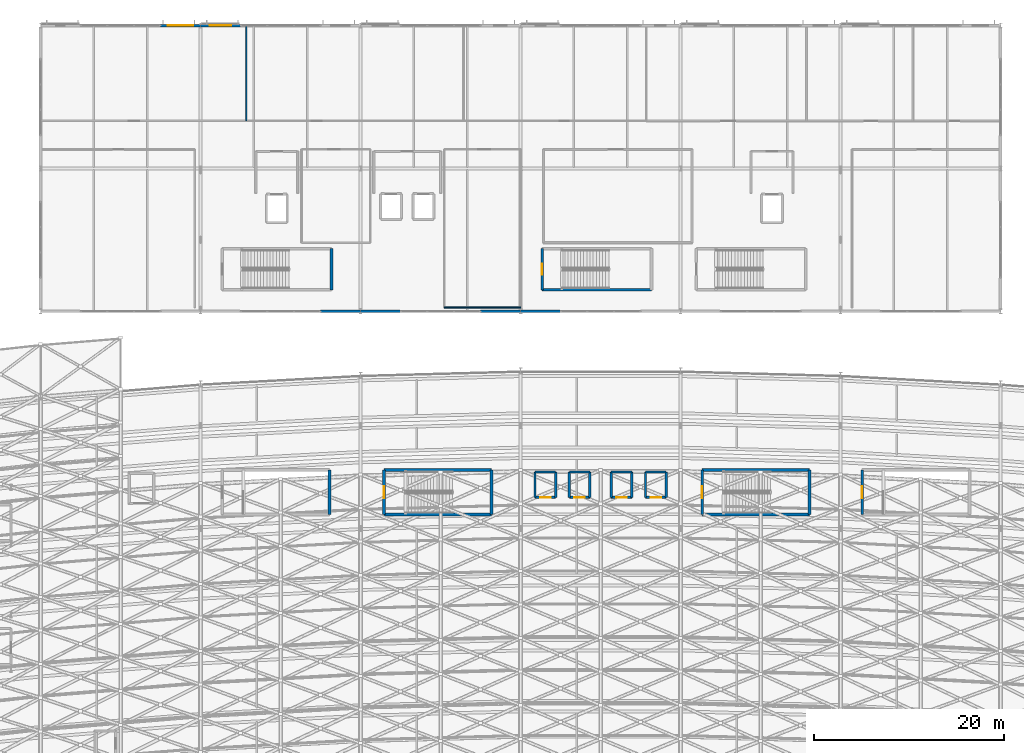
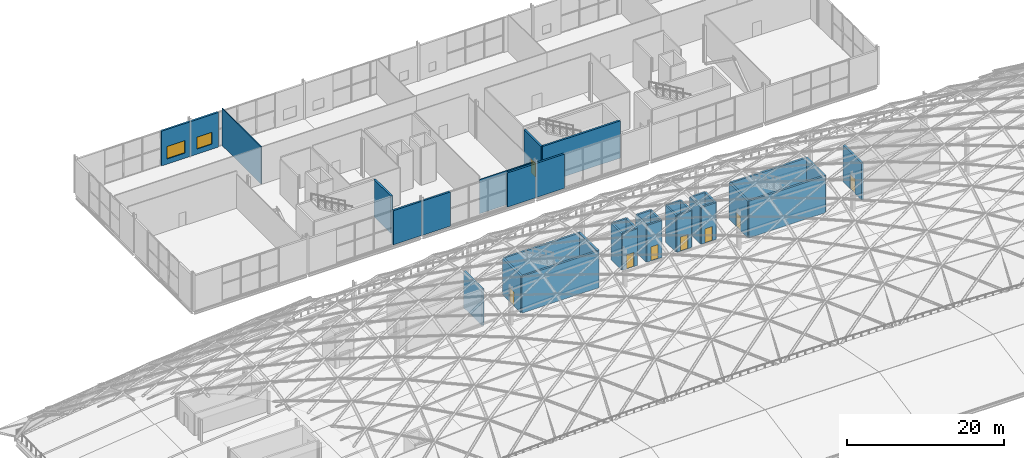
# One storey, part 83 of 100: 37 walls, 8 doors, 2 windows, 10 openings.
"""IFC4 building model written with IfcOpenShell, lengths in metres."""

from ifc_helpers import new_model, si_unit, direction, frame, frame_2d, origin, place, context, subcontext, project, spatial, rectangle, extrude, material, layer, layer_set, type_object, element, fill, save


model = new_model("IFC4")

# Units and contexts
model_context = context("Model", 3, precision=1e-05, world=origin(), true_north=direction((0.0, 1.0)))
body_context = subcontext(model_context, "Body", "Model", "MODEL_VIEW")
ifc_project = project(units=[si_unit("LENGTHUNIT", "METRE"), si_unit("AREAUNIT", "SQUARE_METRE"), si_unit("VOLUMEUNIT", "CUBIC_METRE"), si_unit("PLANEANGLEUNIT", "RADIAN"), si_unit("MASSUNIT", "GRAM", prefix="KILO")], contexts=[model_context])

# Site, building, storey
site_placement = place(None, origin())
site = spatial("IfcSite", under=ifc_project, at=site_placement, CompositionType="ELEMENT")
building_placement = place(site_placement, origin())
building = spatial("IfcBuilding", under=site, at=building_placement, Name="Kimbaza Rail Terminus", CompositionType="ELEMENT")
storey_placement = place(building_placement, frame((0.0, 0.0, 10.800048828125)))
storey = spatial("IfcBuildingStorey", under=building, at=storey_placement, Name="L02", CompositionType="ELEMENT", Elevation=10.800048828125)

# Wall, opening, window
ifc_material_1 = material(Name="Precast concrete C40/50", Category="concrete")
ifc_layer_1 = layer(ifc_material_1, 0.280029296875)
ifc_layer_set_1 = layer_set([ifc_layer_1], Name="Precast concrete C40/50")
wall_type_1 = type_object("IfcWallType", Name="ARC-WL-EXT280", PredefinedType="STANDARD", material=ifc_layer_set_1)
wall_1_placement = place(storey_placement, frame((67.800048828125, 133.0, 0.0), z_axis=(0.0, 0.0, 1.0), x_axis=(1.0, 0.0, 0.0)))
wall_1 = element("IfcWall", 1, at=wall_1_placement, inside=storey, type_object=wall_type_1, Name="Operations North Pier L02 0B", PredefinedType="STANDARD", context=body_context, shape_type="SweptSolid", body=[
    extrude(rectangle(XDim=4.199951171875, YDim=0.280029296875, at=frame_2d((2.10009765625, 0.0))), origin(), (0.0, 0.0, 1.0), 5.405029296875),
])
opening_1_placement = place(wall_1_placement, frame((0.77490234375, 0.0, 0.800048828125)))
opening_1 = element("IfcOpeningElement", 2, at=opening_1_placement, cuts=wall_1, Name="Opening W-21", PredefinedType="OPENING", context=body_context, shape_type="SweptSolid", body=[
    extrude(rectangle(XDim=2.64990234375, YDim=1.949951171875, at=frame_2d((1.324951171875, 0.97509765625))), frame((0.0, 0.14990234375, 0.0), z_axis=(0.0, -1.0, 0.0), x_axis=(1.0, 0.0, 0.0)), (0.0, 0.0, 1.0), 0.300048828125),
])
ifc_material_2 = material(Name="Thermally broken aluminium and solar low-E glass", Category="aluminium")
window_type_1 = type_object("IfcWindowType", Name="ARC-WIN-W-21", PartitioningType="SINGLE_PANEL", PredefinedType="WINDOW", material=ifc_material_2)
window_1_placement = place(opening_1_placement, origin())
window_1 = element("IfcWindow", 3, at=window_1_placement, inside=storey, type_object=window_type_1, Name="North Facade Window W-21", OverallHeight=1.949951171875, OverallWidth=2.64990234375, PartitioningType="SINGLE_PANEL", PredefinedType="WINDOW", context=body_context, shape_type="SweptSolid", body=[
    extrude(rectangle(XDim=2.64990234375, YDim=1.949951171875, at=frame_2d((1.324951171875, 0.97509765625))), frame((0.0, 0.030029296875, 0.0), z_axis=(0.0, -1.0, 0.0), x_axis=(1.0, 0.0, 0.0)), (0.0, 0.0, 1.0), 0.06005859375),
])
fill(opening_1, window_1)

wall_2_placement = place(storey_placement, frame((72.0, 133.0, 0.0), z_axis=(0.0, 0.0, 1.0), x_axis=(1.0, 0.0, 0.0)))
wall_2 = element("IfcWall", 4, at=wall_2_placement, inside=storey, type_object=wall_type_1, Name="Operations North Pier L02 1A", PredefinedType="STANDARD", context=body_context, shape_type="SweptSolid", body=[
    extrude(rectangle(XDim=4.199951171875, YDim=0.280029296875, at=frame_2d((2.10009765625, 0.0))), origin(), (0.0, 0.0, 1.0), 5.405029296875),
])
opening_2_placement = place(wall_2_placement, frame((0.97509765625, 0.0, 0.800048828125)))
opening_2 = element("IfcOpeningElement", 5, at=opening_2_placement, cuts=wall_2, Name="Opening W-22", PredefinedType="OPENING", context=body_context, shape_type="SweptSolid", body=[
    extrude(rectangle(XDim=2.25, YDim=1.85009765625, at=frame_2d((1.125, 0.925048828125))), frame((0.0, 0.14990234375, 0.0), z_axis=(0.0, -1.0, 0.0), x_axis=(1.0, 0.0, 0.0)), (0.0, 0.0, 1.0), 0.300048828125),
])
ifc_material_3 = material(Name="Thermally broken aluminium and solar low-E glass", Category="aluminium")
window_type_2 = type_object("IfcWindowType", Name="ARC-WIN-W-22", PartitioningType="SINGLE_PANEL", PredefinedType="WINDOW", material=ifc_material_3)
window_2_placement = place(opening_2_placement, origin())
window_2 = element("IfcWindow", 6, at=window_2_placement, inside=storey, type_object=window_type_2, Name="North Facade Window W-22", OverallHeight=1.85009765625, OverallWidth=2.25, PartitioningType="SINGLE_PANEL", PredefinedType="WINDOW", context=body_context, shape_type="SweptSolid", body=[
    extrude(rectangle(XDim=2.25, YDim=1.85009765625, at=frame_2d((1.125, 0.925048828125))), frame((0.0, 0.030029296875, 0.0), z_axis=(0.0, -1.0, 0.0), x_axis=(1.0, 0.0, 0.0)), (0.0, 0.0, 1.0), 0.06005859375),
])
fill(opening_2, window_2)

# Walls
for number, where, z_axis, x_axis, name in (
    (7, (84.60009765625, 103.0, 0.0), (0.0, 0.0, 1.0), (1.0, 0.0, 0.0), "Operations South Wall L02 1B"),
    (8, (88.800048828125, 103.0, 0.0), (0.0, 0.0, 1.0), (1.0, 0.0, 0.0), "Operations South Wall L02 2A"),
):
    element("IfcWall", number, at=place(storey_placement, frame(where, z_axis=z_axis, x_axis=x_axis)), inside=storey, type_object=wall_type_1, Name=name, PredefinedType="STANDARD", context=body_context, shape_type="SweptSolid", body=[
        extrude(rectangle(XDim=4.199951171875, YDim=0.280029296875, at=frame_2d((2.10009765625, 0.0))), origin(), (0.0, 0.0, 1.0), 5.324951171875),
    ])
wall_3_placement = place(storey_placement, frame((101.39990234375, 103.0, 0.0), z_axis=(0.0, 0.0, 1.0), x_axis=(1.0, 0.0, 0.0)))
element("IfcWall", 9, at=wall_3_placement, inside=storey, type_object=wall_type_1, Name="Operations South Wall L02 2B", PredefinedType="STANDARD", context=body_context, shape_type="SweptSolid", body=[
    extrude(rectangle(XDim=4.2001953125, YDim=0.280029296875, at=frame_2d((2.10009765625, 0.0))), origin(), (0.0, 0.0, 1.0), 5.324951171875),
])
wall_4_placement = place(storey_placement, frame((105.60009765625, 103.0, 0.0), z_axis=(0.0, 0.0, 1.0), x_axis=(1.0, 0.0, 0.0)))
element("IfcWall", 10, at=wall_4_placement, inside=storey, type_object=wall_type_1, Name="Operations South Wall L02 3A", PredefinedType="STANDARD", context=body_context, shape_type="SweptSolid", body=[
    extrude(rectangle(XDim=4.199951171875, YDim=0.280029296875, at=frame_2d((2.10009765625, 0.0))), origin(), (0.0, 0.0, 1.0), 5.324951171875),
])
ifc_material_4 = material(Name="Demountable acoustic glass wall", Category="glass")
ifc_layer_2 = layer(ifc_material_4, 0.110107421875)
ifc_layer_set_2 = layer_set([ifc_layer_2], Name="Demountable acoustic glass wall")
wall_type_2 = type_object("IfcWallType", Name="ARC-WL-MOV110", PredefinedType="MOVABLE", material=ifc_layer_set_2)
wall_5_placement = place(storey_placement, frame((97.60009765625, 103.39990234375, 0.0), z_axis=(0.0, 0.0, 1.0), x_axis=(1.0, 0.0, 0.0)))
element("IfcWall", 11, at=wall_5_placement, inside=storey, type_object=wall_type_2, Name="L02 Network Dispatch Briefing Room Partition (south)", PredefinedType="MOVABLE", context=body_context, shape_type="SweptSolid", body=[
    extrude(rectangle(XDim=8.0, YDim=0.110107421875, at=frame_2d((4.0, 0.0))), origin(), (0.0, 0.0, 1.0), 5.324951171875),
])
ifc_material_5 = material(Name="Acoustic gypsum stud partition", Category="gypsum")
ifc_layer_3 = layer(ifc_material_5, 0.1298828125)
ifc_layer_set_3 = layer_set([ifc_layer_3], Name="Acoustic gypsum stud partition")
wall_type_3 = type_object("IfcWallType", Name="ARC-WL-PART130", PredefinedType="PARTITIONING", material=ifc_layer_set_3)
wall_6_placement = place(storey_placement, frame((76.800048828125, 123.0, 0.0), z_axis=(0.0, 0.0, 1.0), x_axis=(0.0, 1.0, 0.0)))
element("IfcWall", 12, at=wall_6_placement, inside=storey, type_object=wall_type_3, Name="Interlocking Signalling Relay Suite A Partition (east)", PredefinedType="PARTITIONING", context=body_context, shape_type="SweptSolid", body=[
    extrude(rectangle(XDim=9.97998046875, YDim=0.1298828125, at=frame_2d((4.989990234375, 0.0))), origin(), (0.0, 0.0, 1.0), 5.800048828125),
])

# Wall, opening, door
ifc_material_6 = material(Name="Concrete C40/50", Category="concrete")
ifc_layer_4 = layer(ifc_material_6, 0.25)
ifc_layer_set_4 = layer_set([ifc_layer_4], Name="Concrete C40/50")
wall_type_4 = type_object("IfcWallType", Name="STR-WL-CORE250", PredefinedType="SHEAR", material=ifc_layer_set_4)
wall_7_placement = place(storey_placement, frame((107.1201171875, 83.469970703125, 0.0), z_axis=(0.0, 0.0, 1.0), x_axis=(1.0, 0.0, 0.0)))
wall_7 = element("IfcWall", 13, at=wall_7_placement, inside=storey, type_object=wall_type_4, Name="Lift Shaft Wall LP-01 L02-1", PredefinedType="SHEAR", context=body_context, shape_type="SweptSolid", body=[
    extrude(rectangle(XDim=2.159912109375, YDim=0.25, at=frame_2d((1.080078125, 0.0))), origin(), (0.0, 0.0, 1.0), 5.719970703125),
])
opening_3_placement = place(wall_7_placement, frame((0.530029296875, 0.0, 0.0)))
opening_3 = element("IfcOpeningElement", 14, at=opening_3_placement, cuts=wall_7, Name="Opening LD-01", PredefinedType="OPENING", context=body_context, shape_type="SweptSolid", body=[
    extrude(rectangle(XDim=1.10009765625, YDim=2.199951171875, at=frame_2d((0.550048828125, 1.10009765625))), frame((0.0, 0.135009765625, 0.0), z_axis=(0.0, -1.0, 0.0), x_axis=(1.0, 0.0, 0.0)), (0.0, 0.0, 1.0), 0.27001953125),
])
ifc_material_7 = material(Name="Brushed stainless steel sliding landing door", Category="steel")
door_type_1 = type_object("IfcDoorType", Name="ARC-DR-LD110", OperationType="NOTDEFINED", PredefinedType="DOOR", material=ifc_material_7)
door_1_placement = place(opening_3_placement, origin())
door_1 = element("IfcDoor", 15, at=door_1_placement, inside=storey, type_object=door_type_1, Name="LDR-LP-01-L02", OperationType="SLIDING_TO_RIGHT", OverallHeight=2.199951171875, OverallWidth=1.10009765625, PredefinedType="DOOR", context=body_context, shape_type="SweptSolid", body=[
    extrude(rectangle(XDim=1.10009765625, YDim=2.199951171875, at=frame_2d((0.550048828125, 1.10009765625))), frame((0.0, 0.02490234375, 0.0), z_axis=(0.0, -1.0, 0.0), x_axis=(1.0, 0.0, 0.0)), (0.0, 0.0, 1.0), 0.050048828125),
])
fill(opening_3, door_1)

# Walls
wall_8_placement = place(storey_placement, frame((109.280029296875, 83.469970703125, 0.0), z_axis=(0.0, 0.0, 1.0), x_axis=(0.0, 1.0, 0.0)))
element("IfcWall", 16, at=wall_8_placement, inside=storey, type_object=wall_type_4, Name="Lift Shaft Wall LP-01 L02-2", PredefinedType="SHEAR", context=body_context, shape_type="SweptSolid", body=[
    extrude(rectangle(XDim=2.659912109375, YDim=0.25, at=frame_2d((1.330078125, 0.0))), origin(), (0.0, 0.0, 1.0), 5.719970703125),
])
wall_9_placement = place(storey_placement, frame((109.280029296875, 86.1298828125, 0.0), z_axis=(0.0, 0.0, 1.0), x_axis=(-1.0, 0.0, 0.0)))
element("IfcWall", 17, at=wall_9_placement, inside=storey, type_object=wall_type_4, Name="Lift Shaft Wall LP-01 L02-3", PredefinedType="SHEAR", context=body_context, shape_type="SweptSolid", body=[
    extrude(rectangle(XDim=2.159912109375, YDim=0.25, at=frame_2d((1.080078125, 0.0))), origin(), (0.0, 0.0, 1.0), 5.719970703125),
])
wall_10_placement = place(storey_placement, frame((107.1201171875, 86.1298828125, 0.0), z_axis=(0.0, 0.0, 1.0), x_axis=(0.0, -1.0, 0.0)))
element("IfcWall", 18, at=wall_10_placement, inside=storey, type_object=wall_type_4, Name="Lift Shaft Wall LP-01 L02-4", PredefinedType="SHEAR", context=body_context, shape_type="SweptSolid", body=[
    extrude(rectangle(XDim=2.659912109375, YDim=0.25, at=frame_2d((1.330078125, 0.0))), origin(), (0.0, 0.0, 1.0), 5.719970703125),
])

# Wall, opening, door
wall_11_placement = place(storey_placement, frame((110.719970703125, 83.469970703125, 0.0), z_axis=(0.0, 0.0, 1.0), x_axis=(1.0, 0.0, 0.0)))
wall_11 = element("IfcWall", 19, at=wall_11_placement, inside=storey, type_object=wall_type_4, Name="Lift Shaft Wall LP-02 L02-1", PredefinedType="SHEAR", context=body_context, shape_type="SweptSolid", body=[
    extrude(rectangle(XDim=2.159912109375, YDim=0.25, at=frame_2d((1.080078125, 0.0))), origin(), (0.0, 0.0, 1.0), 5.719970703125),
])
opening_4_placement = place(wall_11_placement, frame((0.530029296875, 0.0, 0.0)))
opening_4 = element("IfcOpeningElement", 20, at=opening_4_placement, cuts=wall_11, Name="Opening LD-01", PredefinedType="OPENING", context=body_context, shape_type="SweptSolid", body=[
    extrude(rectangle(XDim=1.10009765625, YDim=2.199951171875, at=frame_2d((0.550048828125, 1.10009765625))), frame((0.0, 0.135009765625, 0.0), z_axis=(0.0, -1.0, 0.0), x_axis=(1.0, 0.0, 0.0)), (0.0, 0.0, 1.0), 0.27001953125),
])
door_2_placement = place(opening_4_placement, origin())
door_2 = element("IfcDoor", 21, at=door_2_placement, inside=storey, type_object=door_type_1, Name="LDR-LP-02-L02", OperationType="SLIDING_TO_RIGHT", OverallHeight=2.199951171875, OverallWidth=1.10009765625, PredefinedType="DOOR", context=body_context, shape_type="SweptSolid", body=[
    extrude(rectangle(XDim=1.10009765625, YDim=2.199951171875, at=frame_2d((0.550048828125, 1.10009765625))), frame((0.0, 0.02490234375, 0.0), z_axis=(0.0, -1.0, 0.0), x_axis=(1.0, 0.0, 0.0)), (0.0, 0.0, 1.0), 0.050048828125),
])
fill(opening_4, door_2)

# Walls
wall_12_placement = place(storey_placement, frame((112.8798828125, 83.469970703125, 0.0), z_axis=(0.0, 0.0, 1.0), x_axis=(0.0, 1.0, 0.0)))
element("IfcWall", 22, at=wall_12_placement, inside=storey, type_object=wall_type_4, Name="Lift Shaft Wall LP-02 L02-2", PredefinedType="SHEAR", context=body_context, shape_type="SweptSolid", body=[
    extrude(rectangle(XDim=2.659912109375, YDim=0.25, at=frame_2d((1.330078125, 0.0))), origin(), (0.0, 0.0, 1.0), 5.719970703125),
])
wall_13_placement = place(storey_placement, frame((112.8798828125, 86.1298828125, 0.0), z_axis=(0.0, 0.0, 1.0), x_axis=(-1.0, 0.0, 0.0)))
element("IfcWall", 23, at=wall_13_placement, inside=storey, type_object=wall_type_4, Name="Lift Shaft Wall LP-02 L02-3", PredefinedType="SHEAR", context=body_context, shape_type="SweptSolid", body=[
    extrude(rectangle(XDim=2.159912109375, YDim=0.25, at=frame_2d((1.080078125, 0.0))), origin(), (0.0, 0.0, 1.0), 5.719970703125),
])
wall_14_placement = place(storey_placement, frame((110.719970703125, 86.1298828125, 0.0), z_axis=(0.0, 0.0, 1.0), x_axis=(0.0, -1.0, 0.0)))
element("IfcWall", 24, at=wall_14_placement, inside=storey, type_object=wall_type_4, Name="Lift Shaft Wall LP-02 L02-4", PredefinedType="SHEAR", context=body_context, shape_type="SweptSolid", body=[
    extrude(rectangle(XDim=2.659912109375, YDim=0.25, at=frame_2d((1.330078125, 0.0))), origin(), (0.0, 0.0, 1.0), 5.719970703125),
])

# Wall, opening, door
wall_15_placement = place(storey_placement, frame((115.1201171875, 83.469970703125, 0.0), z_axis=(0.0, 0.0, 1.0), x_axis=(1.0, 0.0, 0.0)))
wall_15 = element("IfcWall", 25, at=wall_15_placement, inside=storey, type_object=wall_type_4, Name="Lift Shaft Wall LP-03 L02-1", PredefinedType="SHEAR", context=body_context, shape_type="SweptSolid", body=[
    extrude(rectangle(XDim=2.159912109375, YDim=0.25, at=frame_2d((1.080078125, 0.0))), origin(), (0.0, 0.0, 1.0), 5.719970703125),
])
opening_5_placement = place(wall_15_placement, frame((0.530029296875, 0.0, 0.0)))
opening_5 = element("IfcOpeningElement", 26, at=opening_5_placement, cuts=wall_15, Name="Opening LD-01", PredefinedType="OPENING", context=body_context, shape_type="SweptSolid", body=[
    extrude(rectangle(XDim=1.10009765625, YDim=2.199951171875, at=frame_2d((0.550048828125, 1.10009765625))), frame((0.0, 0.135009765625, 0.0), z_axis=(0.0, -1.0, 0.0), x_axis=(1.0, 0.0, 0.0)), (0.0, 0.0, 1.0), 0.27001953125),
])
door_3_placement = place(opening_5_placement, origin())
door_3 = element("IfcDoor", 27, at=door_3_placement, inside=storey, type_object=door_type_1, Name="LDR-LP-03-L02", OperationType="SLIDING_TO_RIGHT", OverallHeight=2.199951171875, OverallWidth=1.10009765625, PredefinedType="DOOR", context=body_context, shape_type="SweptSolid", body=[
    extrude(rectangle(XDim=1.10009765625, YDim=2.199951171875, at=frame_2d((0.550048828125, 1.10009765625))), frame((0.0, 0.02490234375, 0.0), z_axis=(0.0, -1.0, 0.0), x_axis=(1.0, 0.0, 0.0)), (0.0, 0.0, 1.0), 0.050048828125),
])
fill(opening_5, door_3)

# Walls
wall_16_placement = place(storey_placement, frame((117.280029296875, 83.469970703125, 0.0), z_axis=(0.0, 0.0, 1.0), x_axis=(0.0, 1.0, 0.0)))
element("IfcWall", 28, at=wall_16_placement, inside=storey, type_object=wall_type_4, Name="Lift Shaft Wall LP-03 L02-2", PredefinedType="SHEAR", context=body_context, shape_type="SweptSolid", body=[
    extrude(rectangle(XDim=2.659912109375, YDim=0.25, at=frame_2d((1.330078125, 0.0))), origin(), (0.0, 0.0, 1.0), 5.719970703125),
])
wall_17_placement = place(storey_placement, frame((117.280029296875, 86.1298828125, 0.0), z_axis=(0.0, 0.0, 1.0), x_axis=(-1.0, 0.0, 0.0)))
element("IfcWall", 29, at=wall_17_placement, inside=storey, type_object=wall_type_4, Name="Lift Shaft Wall LP-03 L02-3", PredefinedType="SHEAR", context=body_context, shape_type="SweptSolid", body=[
    extrude(rectangle(XDim=2.159912109375, YDim=0.25, at=frame_2d((1.080078125, 0.0))), origin(), (0.0, 0.0, 1.0), 5.719970703125),
])
wall_18_placement = place(storey_placement, frame((115.1201171875, 86.1298828125, 0.0), z_axis=(0.0, 0.0, 1.0), x_axis=(0.0, -1.0, 0.0)))
element("IfcWall", 30, at=wall_18_placement, inside=storey, type_object=wall_type_4, Name="Lift Shaft Wall LP-03 L02-4", PredefinedType="SHEAR", context=body_context, shape_type="SweptSolid", body=[
    extrude(rectangle(XDim=2.659912109375, YDim=0.25, at=frame_2d((1.330078125, 0.0))), origin(), (0.0, 0.0, 1.0), 5.719970703125),
])

# Wall, opening, door
wall_19_placement = place(storey_placement, frame((118.719970703125, 83.469970703125, 0.0), z_axis=(0.0, 0.0, 1.0), x_axis=(1.0, 0.0, 0.0)))
wall_19 = element("IfcWall", 31, at=wall_19_placement, inside=storey, type_object=wall_type_4, Name="Lift Shaft Wall LP-04 L02-1", PredefinedType="SHEAR", context=body_context, shape_type="SweptSolid", body=[
    extrude(rectangle(XDim=2.159912109375, YDim=0.25, at=frame_2d((1.080078125, 0.0))), origin(), (0.0, 0.0, 1.0), 5.719970703125),
])
opening_6_placement = place(wall_19_placement, frame((0.530029296875, 0.0, 0.0)))
opening_6 = element("IfcOpeningElement", 32, at=opening_6_placement, cuts=wall_19, Name="Opening LD-01", PredefinedType="OPENING", context=body_context, shape_type="SweptSolid", body=[
    extrude(rectangle(XDim=1.10009765625, YDim=2.199951171875, at=frame_2d((0.550048828125, 1.10009765625))), frame((0.0, 0.135009765625, 0.0), z_axis=(0.0, -1.0, 0.0), x_axis=(1.0, 0.0, 0.0)), (0.0, 0.0, 1.0), 0.27001953125),
])
door_4_placement = place(opening_6_placement, origin())
door_4 = element("IfcDoor", 33, at=door_4_placement, inside=storey, type_object=door_type_1, Name="LDR-LP-04-L02", OperationType="SLIDING_TO_RIGHT", OverallHeight=2.199951171875, OverallWidth=1.10009765625, PredefinedType="DOOR", context=body_context, shape_type="SweptSolid", body=[
    extrude(rectangle(XDim=1.10009765625, YDim=2.199951171875, at=frame_2d((0.550048828125, 1.10009765625))), frame((0.0, 0.02490234375, 0.0), z_axis=(0.0, -1.0, 0.0), x_axis=(1.0, 0.0, 0.0)), (0.0, 0.0, 1.0), 0.050048828125),
])
fill(opening_6, door_4)

# Walls
wall_20_placement = place(storey_placement, frame((120.8798828125, 83.469970703125, 0.0), z_axis=(0.0, 0.0, 1.0), x_axis=(0.0, 1.0, 0.0)))
element("IfcWall", 34, at=wall_20_placement, inside=storey, type_object=wall_type_4, Name="Lift Shaft Wall LP-04 L02-2", PredefinedType="SHEAR", context=body_context, shape_type="SweptSolid", body=[
    extrude(rectangle(XDim=2.659912109375, YDim=0.25, at=frame_2d((1.330078125, 0.0))), origin(), (0.0, 0.0, 1.0), 5.719970703125),
])
wall_21_placement = place(storey_placement, frame((120.8798828125, 86.1298828125, 0.0), z_axis=(0.0, 0.0, 1.0), x_axis=(-1.0, 0.0, 0.0)))
element("IfcWall", 35, at=wall_21_placement, inside=storey, type_object=wall_type_4, Name="Lift Shaft Wall LP-04 L02-3", PredefinedType="SHEAR", context=body_context, shape_type="SweptSolid", body=[
    extrude(rectangle(XDim=2.159912109375, YDim=0.25, at=frame_2d((1.080078125, 0.0))), origin(), (0.0, 0.0, 1.0), 5.719970703125),
])
wall_22_placement = place(storey_placement, frame((118.719970703125, 86.1298828125, 0.0), z_axis=(0.0, 0.0, 1.0), x_axis=(0.0, -1.0, 0.0)))
element("IfcWall", 36, at=wall_22_placement, inside=storey, type_object=wall_type_4, Name="Lift Shaft Wall LP-04 L02-4", PredefinedType="SHEAR", context=body_context, shape_type="SweptSolid", body=[
    extrude(rectangle(XDim=2.659912109375, YDim=0.25, at=frame_2d((1.330078125, 0.0))), origin(), (0.0, 0.0, 1.0), 5.719970703125),
])
ifc_material_8 = material(Name="Concrete C40/50", Category="concrete")
ifc_layer_5 = layer(ifc_material_8, 0.280029296875)
ifc_layer_set_5 = layer_set([ifc_layer_5], Name="Concrete C40/50")
wall_type_5 = type_object("IfcWallType", Name="STR-WL-CORE280", PredefinedType="SHEAR", material=ifc_layer_set_5)
wall_23_placement = place(storey_placement, frame((85.739990234375, 105.260009765625, 0.0), z_axis=(0.0, 0.0, 1.0), x_axis=(0.0, 1.0, 0.0)))
element("IfcWall", 37, at=wall_23_placement, inside=storey, type_object=wall_type_5, Name="Operations West Exit Stair Shaft Wall L02-2", PredefinedType="SHEAR", context=body_context, shape_type="SweptSolid", body=[
    extrude(rectangle(XDim=4.320068359375, YDim=0.280029296875, at=frame_2d((2.16015625, 0.0))), origin(), (0.0, 0.0, 1.0), 5.800048828125),
])
wall_24_placement = place(storey_placement, frame((107.860107421875, 105.260009765625, 0.0), z_axis=(0.0, 0.0, 1.0), x_axis=(1.0, 0.0, 0.0)))
element("IfcWall", 38, at=wall_24_placement, inside=storey, type_object=wall_type_5, Name="Operations Central Exit Stair Shaft Wall L02-1", PredefinedType="SHEAR", context=body_context, shape_type="SweptSolid", body=[
    extrude(rectangle(XDim=11.47998046875, YDim=0.280029296875, at=frame_2d((5.739990234375, 0.0))), origin(), (0.0, 0.0, 1.0), 5.800048828125),
])

# Wall, opening, door
wall_25_placement = place(storey_placement, frame((107.860107421875, 109.580078125, 0.0), z_axis=(0.0, 0.0, 1.0), x_axis=(0.0, -1.0, 0.0)))
wall_25 = element("IfcWall", 39, at=wall_25_placement, inside=storey, type_object=wall_type_5, Name="Operations Central Exit Stair Shaft Wall L02-4", PredefinedType="SHEAR", context=body_context, shape_type="SweptSolid", body=[
    extrude(rectangle(XDim=4.320068359375, YDim=0.280029296875, at=frame_2d((2.16015625, 0.0))), origin(), (0.0, 0.0, 1.0), 5.800048828125),
])
opening_7_placement = place(wall_25_placement, frame((1.5849609375, 0.0, 0.0)))
opening_7 = element("IfcOpeningElement", 40, at=opening_7_placement, cuts=wall_25, Name="Opening FD-03", PredefinedType="OPENING", context=body_context, shape_type="SweptSolid", body=[
    extrude(rectangle(XDim=1.14990234375, YDim=2.199951171875, at=frame_2d((0.574951171875, 1.10009765625))), frame((0.0, 0.14990234375, 0.0), z_axis=(0.0, -1.0, 0.0), x_axis=(1.0, 0.0, 0.0)), (0.0, 0.0, 1.0), 0.300048828125),
])
ifc_material_9 = material(Name="Firefighting lobby self-closing steel door", Category="steel")
door_type_2 = type_object("IfcDoorType", Name="ARC-DR-FD115", OperationType="NOTDEFINED", PredefinedType="DOOR", material=ifc_material_9)
door_5_placement = place(opening_7_placement, origin())
door_5 = element("IfcDoor", 41, at=door_5_placement, inside=storey, type_object=door_type_2, Name="SDR-ST-M1-L02", OperationType="SINGLE_SWING_RIGHT", OverallHeight=2.199951171875, OverallWidth=1.14990234375, PredefinedType="DOOR", context=body_context, shape_type="SweptSolid", body=[
    extrude(rectangle(XDim=1.14990234375, YDim=2.199951171875, at=frame_2d((0.574951171875, 1.10009765625))), frame((0.0, 0.02490234375, 0.0), z_axis=(0.0, -1.0, 0.0), x_axis=(1.0, 0.0, 0.0)), (0.0, 0.0, 1.0), 0.050048828125),
])
fill(opening_7, door_5)

# Wall
wall_26_placement = place(storey_placement, frame((85.5400390625, 81.659912109375, 0.0), z_axis=(0.0, 0.0, 1.0), x_axis=(0.0, 1.0, 0.0)))
element("IfcWall", 42, at=wall_26_placement, inside=storey, type_object=wall_type_5, Name="Platform West Concourse Stair Shaft Wall L02-2", PredefinedType="SHEAR", context=body_context, shape_type="SweptSolid", body=[
    extrude(rectangle(XDim=4.68017578125, YDim=0.280029296875, at=frame_2d((2.340087890625, 0.0))), origin(), (0.0, 0.0, 1.0), 5.719970703125),
])

# Wall, opening, door
wall_27_placement = place(storey_placement, frame((141.4599609375, 86.340087890625, 0.0), z_axis=(0.0, 0.0, 1.0), x_axis=(0.0, -1.0, 0.0)))
wall_27 = element("IfcWall", 43, at=wall_27_placement, inside=storey, type_object=wall_type_5, Name="Platform East Concourse Stair Shaft Wall L02-4", PredefinedType="SHEAR", context=body_context, shape_type="SweptSolid", body=[
    extrude(rectangle(XDim=4.68017578125, YDim=0.280029296875, at=frame_2d((2.340087890625, 0.0))), origin(), (0.0, 0.0, 1.0), 5.719970703125),
])
opening_8_placement = place(wall_27_placement, frame((1.715087890625, 0.0, 0.0)))
opening_8 = element("IfcOpeningElement", 44, at=opening_8_placement, cuts=wall_27, Name="Opening FD-02", PredefinedType="OPENING", context=body_context, shape_type="SweptSolid", body=[
    extrude(rectangle(XDim=1.25, YDim=2.199951171875, at=frame_2d((0.625, 1.10009765625))), frame((0.0, 0.14990234375, 0.0), z_axis=(0.0, -1.0, 0.0), x_axis=(1.0, 0.0, 0.0)), (0.0, 0.0, 1.0), 0.300048828125),
])
ifc_material_10 = material(Name="Galvanised painted steel fire stair door", Category="steel")
door_type_3 = type_object("IfcDoorType", Name="ARC-DR-FD125", OperationType="NOTDEFINED", PredefinedType="DOOR", material=ifc_material_10)
door_6_placement = place(opening_8_placement, origin())
door_6 = element("IfcDoor", 45, at=door_6_placement, inside=storey, type_object=door_type_3, Name="SDR-ST-C2-L02", OperationType="SINGLE_SWING_RIGHT", OverallHeight=2.199951171875, OverallWidth=1.25, PredefinedType="DOOR", context=body_context, shape_type="SweptSolid", body=[
    extrude(rectangle(XDim=1.25, YDim=2.199951171875, at=frame_2d((0.625, 1.10009765625))), frame((0.0, 0.02490234375, 0.0), z_axis=(0.0, -1.0, 0.0), x_axis=(1.0, 0.0, 0.0)), (0.0, 0.0, 1.0), 0.050048828125),
])
fill(opening_8, door_6)

# Walls
wall_28_placement = place(storey_placement, frame((91.260009765625, 81.659912109375, 0.0), z_axis=(0.0, 0.0, 1.0), x_axis=(1.0, 0.0, 0.0)))
element("IfcWall", 46, at=wall_28_placement, inside=storey, type_object=wall_type_5, Name="Footbridge West Platform Stair Shaft Wall L02-1", PredefinedType="SHEAR", context=body_context, shape_type="SweptSolid", body=[
    extrude(rectangle(XDim=11.280029296875, YDim=0.280029296875, at=frame_2d((5.64013671875, 0.0))), origin(), (0.0, 0.0, 1.0), 5.719970703125),
])
wall_29_placement = place(storey_placement, frame((102.5400390625, 81.659912109375, 0.0), z_axis=(0.0, 0.0, 1.0), x_axis=(0.0, 1.0, 0.0)))
element("IfcWall", 47, at=wall_29_placement, inside=storey, type_object=wall_type_5, Name="Footbridge West Platform Stair Shaft Wall L02-2", PredefinedType="SHEAR", context=body_context, shape_type="SweptSolid", body=[
    extrude(rectangle(XDim=4.68017578125, YDim=0.280029296875, at=frame_2d((2.340087890625, 0.0))), origin(), (0.0, 0.0, 1.0), 5.719970703125),
])
wall_30_placement = place(storey_placement, frame((102.5400390625, 86.340087890625, 0.0), z_axis=(0.0, 0.0, 1.0), x_axis=(-1.0, 0.0, 0.0)))
element("IfcWall", 48, at=wall_30_placement, inside=storey, type_object=wall_type_5, Name="Footbridge West Platform Stair Shaft Wall L02-3", PredefinedType="SHEAR", context=body_context, shape_type="SweptSolid", body=[
    extrude(rectangle(XDim=11.280029296875, YDim=0.280029296875, at=frame_2d((5.64013671875, 0.0))), origin(), (0.0, 0.0, 1.0), 5.719970703125),
])

# Wall, opening, door
wall_31_placement = place(storey_placement, frame((91.260009765625, 86.340087890625, 0.0), z_axis=(0.0, 0.0, 1.0), x_axis=(0.0, -1.0, 0.0)))
wall_31 = element("IfcWall", 49, at=wall_31_placement, inside=storey, type_object=wall_type_5, Name="Footbridge West Platform Stair Shaft Wall L02-4", PredefinedType="SHEAR", context=body_context, shape_type="SweptSolid", body=[
    extrude(rectangle(XDim=4.68017578125, YDim=0.280029296875, at=frame_2d((2.340087890625, 0.0))), origin(), (0.0, 0.0, 1.0), 5.719970703125),
])
opening_9_placement = place(wall_31_placement, frame((1.715087890625, 0.0, 0.0)))
opening_9 = element("IfcOpeningElement", 50, at=opening_9_placement, cuts=wall_31, Name="Opening FD-02", PredefinedType="OPENING", context=body_context, shape_type="SweptSolid", body=[
    extrude(rectangle(XDim=1.25, YDim=2.199951171875, at=frame_2d((0.625, 1.10009765625))), frame((0.0, 0.14990234375, 0.0), z_axis=(0.0, -1.0, 0.0), x_axis=(1.0, 0.0, 0.0)), (0.0, 0.0, 1.0), 0.300048828125),
])
door_7_placement = place(opening_9_placement, origin())
door_7 = element("IfcDoor", 51, at=door_7_placement, inside=storey, type_object=door_type_3, Name="SDR-ST-C3-L02", OperationType="SINGLE_SWING_RIGHT", OverallHeight=2.199951171875, OverallWidth=1.25, PredefinedType="DOOR", context=body_context, shape_type="SweptSolid", body=[
    extrude(rectangle(XDim=1.25, YDim=2.199951171875, at=frame_2d((0.625, 1.10009765625))), frame((0.0, 0.02490234375, 0.0), z_axis=(0.0, -1.0, 0.0), x_axis=(1.0, 0.0, 0.0)), (0.0, 0.0, 1.0), 0.050048828125),
])
fill(opening_9, door_7)

# Walls
wall_32_placement = place(storey_placement, frame((124.659912109375, 81.659912109375, 0.0), z_axis=(0.0, 0.0, 1.0), x_axis=(1.0, 0.0, 0.0)))
element("IfcWall", 52, at=wall_32_placement, inside=storey, type_object=wall_type_5, Name="Footbridge East Platform Stair Shaft Wall L02-1", PredefinedType="SHEAR", context=body_context, shape_type="SweptSolid", body=[
    extrude(rectangle(XDim=11.280029296875, YDim=0.280029296875, at=frame_2d((5.64013671875, 0.0))), origin(), (0.0, 0.0, 1.0), 5.719970703125),
])
wall_33_placement = place(storey_placement, frame((135.93994140625, 81.659912109375, 0.0), z_axis=(0.0, 0.0, 1.0), x_axis=(0.0, 1.0, 0.0)))
element("IfcWall", 53, at=wall_33_placement, inside=storey, type_object=wall_type_5, Name="Footbridge East Platform Stair Shaft Wall L02-2", PredefinedType="SHEAR", context=body_context, shape_type="SweptSolid", body=[
    extrude(rectangle(XDim=4.68017578125, YDim=0.280029296875, at=frame_2d((2.340087890625, 0.0))), origin(), (0.0, 0.0, 1.0), 5.719970703125),
])
wall_34_placement = place(storey_placement, frame((135.93994140625, 86.340087890625, 0.0), z_axis=(0.0, 0.0, 1.0), x_axis=(-1.0, 0.0, 0.0)))
element("IfcWall", 54, at=wall_34_placement, inside=storey, type_object=wall_type_5, Name="Footbridge East Platform Stair Shaft Wall L02-3", PredefinedType="SHEAR", context=body_context, shape_type="SweptSolid", body=[
    extrude(rectangle(XDim=11.280029296875, YDim=0.280029296875, at=frame_2d((5.64013671875, 0.0))), origin(), (0.0, 0.0, 1.0), 5.719970703125),
])

# Wall, opening, door
wall_35_placement = place(storey_placement, frame((124.659912109375, 86.340087890625, 0.0), z_axis=(0.0, 0.0, 1.0), x_axis=(0.0, -1.0, 0.0)))
wall_35 = element("IfcWall", 55, at=wall_35_placement, inside=storey, type_object=wall_type_5, Name="Footbridge East Platform Stair Shaft Wall L02-4", PredefinedType="SHEAR", context=body_context, shape_type="SweptSolid", body=[
    extrude(rectangle(XDim=4.68017578125, YDim=0.280029296875, at=frame_2d((2.340087890625, 0.0))), origin(), (0.0, 0.0, 1.0), 5.719970703125),
])
opening_10_placement = place(wall_35_placement, frame((1.715087890625, 0.0, 0.0)))
opening_10 = element("IfcOpeningElement", 56, at=opening_10_placement, cuts=wall_35, Name="Opening FD-02", PredefinedType="OPENING", context=body_context, shape_type="SweptSolid", body=[
    extrude(rectangle(XDim=1.25, YDim=2.199951171875, at=frame_2d((0.625, 1.10009765625))), frame((0.0, 0.14990234375, 0.0), z_axis=(0.0, -1.0, 0.0), x_axis=(1.0, 0.0, 0.0)), (0.0, 0.0, 1.0), 0.300048828125),
])
door_8_placement = place(opening_10_placement, origin())
door_8 = element("IfcDoor", 57, at=door_8_placement, inside=storey, type_object=door_type_3, Name="SDR-ST-C4-L02", OperationType="SINGLE_SWING_LEFT", OverallHeight=2.199951171875, OverallWidth=1.25, PredefinedType="DOOR", context=body_context, shape_type="SweptSolid", body=[
    extrude(rectangle(XDim=1.25, YDim=2.199951171875, at=frame_2d((0.625, 1.10009765625))), frame((0.0, 0.02490234375, 0.0), z_axis=(0.0, -1.0, 0.0), x_axis=(1.0, 0.0, 0.0)), (0.0, 0.0, 1.0), 0.050048828125),
])
fill(opening_10, door_8)

save(model, "model.ifc")
